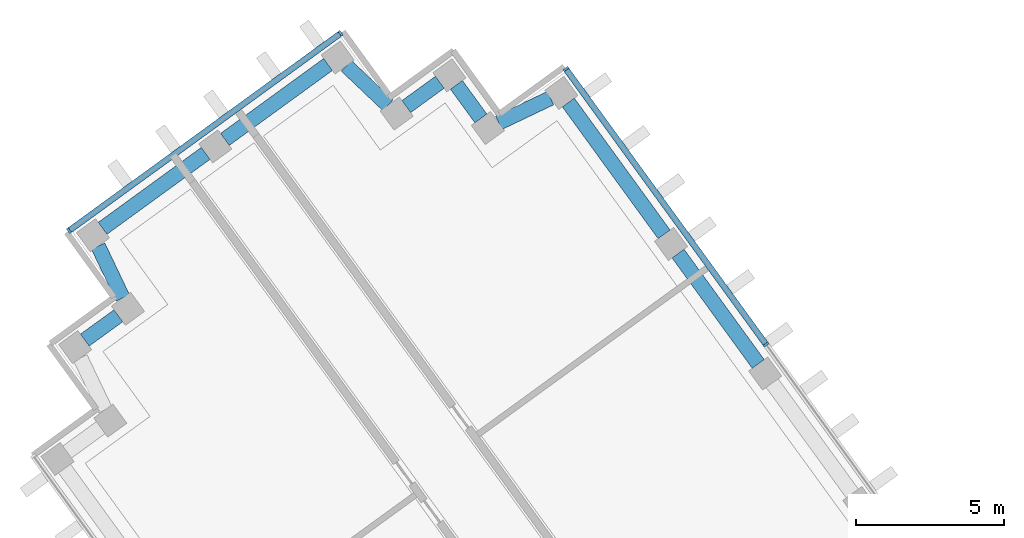
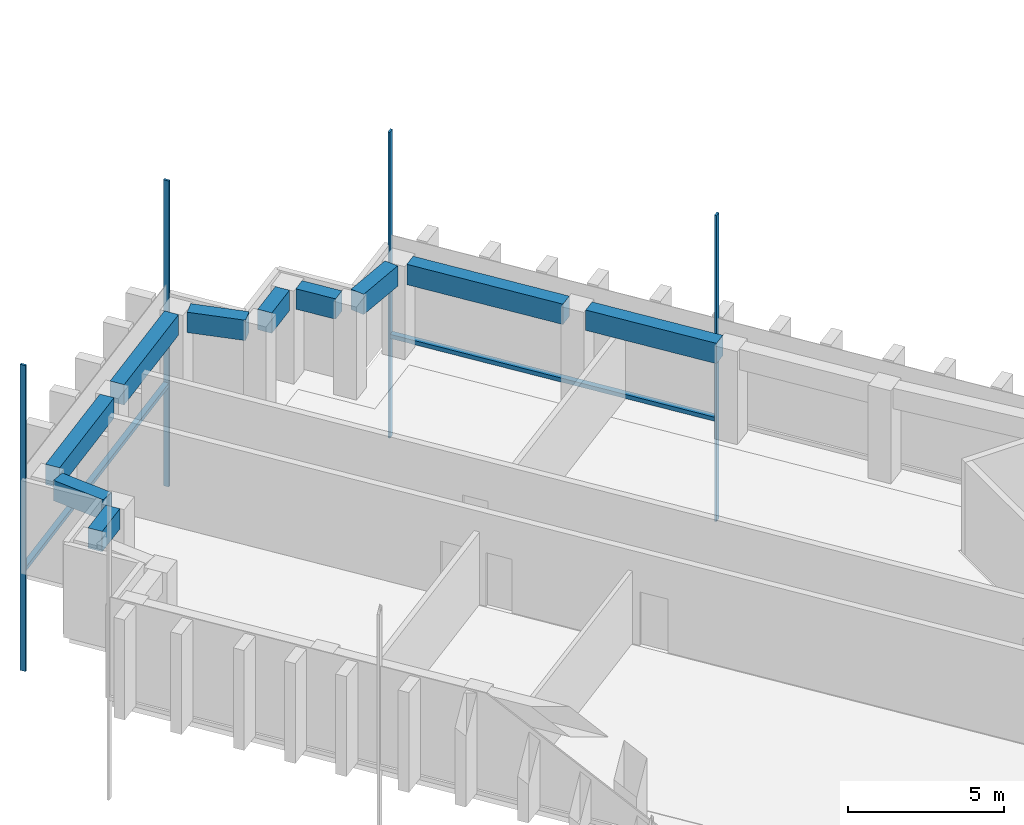
# One storey, part 4 of 12: 10 beams, 6 members, 2 elements without a shape of their own.
"""IFC4 building model written with IfcOpenShell, lengths in metres."""

import ifcopenshell
import ifcopenshell.guid

model = None  # the IFC model being written
_history = None  # IfcOwnerHistory: only IFC2X3 demands one
_inside = {}  # id of a spatial element -> (the spatial element, [elements in it])
_under = {}  # id of a project, library or spatial element -> (it, [spatial elements below it])
_declared = {}  # id of a project -> (the project, [libraries it declares])
_typed = {}  # id of a type object -> (the type object, [elements of that type])
_made_of = {}  # id of a material, layer set ... -> (it, [elements and type objects made of it])


def new_model(schema):
    """Start an empty IFC model of exactly this schema.

    Asked for "IFC4X3", IfcOpenShell would pick the latest addendum, in which some entities
    have other attributes; the version numbers below select the first issue.
    IFC2X3 requires an IfcOwnerHistory on every rooted entity: one is made here for all.
    """
    global model, _history
    if schema == "IFC4X3":
        model = ifcopenshell.file(schema_version=(4, 3, 0, 0))
    else:
        model = ifcopenshell.file(schema=schema)
    _inside.clear()
    _under.clear()
    _declared.clear()
    _typed.clear()
    _made_of.clear()
    _history = None
    if model.schema == "IFC2X3":
        org = make("IfcOrganization", Name="unknown")
        user = make(
            "IfcPersonAndOrganization",
            ThePerson=make("IfcPerson", FamilyName="unknown"),
            TheOrganization=org,
        )
        app = make(
            "IfcApplication",
            ApplicationDeveloper=org,
            Version="unknown",
            ApplicationFullName="unknown",
            ApplicationIdentifier="unknown",
        )
        _history = make(
            "IfcOwnerHistory",
            OwningUser=user,
            OwningApplication=app,
            ChangeAction="ADDED",
            CreationDate=0,
        )
    return model


def make(cls, **values):
    """One entity of the class cls with the attributes given. An attribute that is None is left unset."""
    return model.create_entity(
        cls, **{name: value for name, value in values.items() if value is not None}
    )


def rooted(cls, **values):
    """An entity with a GlobalId (a new one), such as an element, a storey or a relation."""
    return make(cls, GlobalId=ifcopenshell.guid.new(), OwnerHistory=_history, **values)


def si_unit(unit_type, name, prefix=None):
    """IfcSIUnit, for example si_unit("LENGTHUNIT", "METRE", prefix="MILLI")."""
    return make("IfcSIUnit", UnitType=unit_type, Prefix=prefix, Name=name)


def assignment(units):
    """IfcUnitAssignment: the units of a project."""
    return None if units is None else make("IfcUnitAssignment", Units=units)


def point(xyz):
    """IfcCartesianPoint."""
    return None if xyz is None else make("IfcCartesianPoint", Coordinates=xyz)


def direction(xyz):
    """IfcDirection."""
    return None if xyz is None else make("IfcDirection", DirectionRatios=xyz)


def frame(location, z_axis=None, x_axis=None):
    """IfcAxis2Placement3D, a coordinate frame: its origin and axes. An axis left out is left unset."""
    return make(
        "IfcAxis2Placement3D",
        Location=point(location),
        Axis=direction(z_axis),
        RefDirection=direction(x_axis),
    )


def frame_2d(location, x_axis=None):
    """IfcAxis2Placement2D, a coordinate frame in the plane: its origin and x axis."""
    return make(
        "IfcAxis2Placement2D", Location=point(location), RefDirection=direction(x_axis)
    )


def origin():
    """The frame at (0, 0, 0) with its axes left unset."""
    return frame((0.0, 0.0, 0.0))


def origin_2d():
    """The frame at (0, 0) in the plane with its x axis left unset."""
    return frame_2d((0.0, 0.0))


def place(relative_to, where):
    """IfcLocalPlacement: puts the frame where relative to a parent placement (None: the world)."""
    return make(
        "IfcLocalPlacement", PlacementRelTo=relative_to, RelativePlacement=where
    )


def context(
    kind, dimensions, precision=None, world=None, true_north=None, identifier=None
):
    """IfcGeometricRepresentationContext, for example the 3D "Model" context."""
    return make(
        "IfcGeometricRepresentationContext",
        ContextIdentifier=identifier,
        ContextType=kind,
        CoordinateSpaceDimension=dimensions,
        Precision=precision,
        WorldCoordinateSystem=world,
        TrueNorth=true_north,
    )


def subcontext(parent, identifier, kind, view, scale=None):
    """IfcGeometricRepresentationSubContext, for example "Body" below "Model"."""
    return make(
        "IfcGeometricRepresentationSubContext",
        ContextIdentifier=identifier,
        ContextType=kind,
        ParentContext=parent,
        TargetScale=scale,
        TargetView=view,
    )


def project(units=None, contexts=None):
    """IfcProject with its units and contexts."""
    return rooted(
        "IfcProject",
        Name="project",
        RepresentationContexts=contexts,
        UnitsInContext=assignment(units),
    )


def spatial(cls, under=None, at=None, **own):
    """A site, building, storey or space (cls), placed at a placement, below another one or the project."""
    s = rooted(cls, ObjectPlacement=at, **own)
    if under is not None:
        _under.setdefault(under.id(), (under, []))[1].append(s)
    return s


def profile(cls, at=None, kind="AREA", **sizes):
    """A parametric profile (cls). Its sizes go by their IFC names, for example OverallWidth=200.0."""
    return make(cls, ProfileType=kind, Position=at, **sizes)


def rectangle(**sizes):
    """IfcRectangleProfileDef."""
    return profile("IfcRectangleProfileDef", **sizes)


def extrude(swept, where, along, depth):
    """IfcExtrudedAreaSolid: the profile swept, set in the frame where, extruded along a direction by depth."""
    return make(
        "IfcExtrudedAreaSolid",
        SweptArea=swept,
        Position=where,
        ExtrudedDirection=direction(along),
        Depth=depth,
    )


def shape(context_of_items, identifier, shape_type, items):
    """IfcShapeRepresentation: the items that make up one representation, for example the "Body"."""
    return make(
        "IfcShapeRepresentation",
        ContextOfItems=context_of_items,
        RepresentationIdentifier=identifier,
        RepresentationType=shape_type,
        Items=items,
    )


def material(Name=None, Category=None):
    """IfcMaterial."""
    return make("IfcMaterial", Name=Name, Category=Category)


def material_profile(
    of_material, cross_section, Name=None, Category=None, Priority=None
):
    """IfcMaterialProfile: a cross section and its material."""
    return make(
        "IfcMaterialProfile",
        Name=Name,
        Material=of_material,
        Profile=cross_section,
        Priority=Priority,
        Category=Category,
    )


def profile_set(profiles, Name=None, composite=None):
    """IfcMaterialProfileSet."""
    return make(
        "IfcMaterialProfileSet",
        Name=Name,
        MaterialProfiles=profiles,
        CompositeProfile=composite,
    )


def made_of(thing, what):
    """Note that an element or type object is made of a material, layer set ...; save() writes the relation."""
    if what is not None:
        _made_of.setdefault(what.id(), (what, []))[1].append(thing)
    return thing


def type_object(cls, material=None, **own):
    """A type object (cls), such as IfcWallType, which elements share."""
    return made_of(rooted(cls, **own), material)


def element(
    cls,
    number,
    at=None,
    inside=None,
    cuts=None,
    type_object=None,
    material=None,
    context=None,
    identifier="Body",
    shape_type=None,
    held_by="IfcProductDefinitionShape",
    body=None,
    shapes=None,
    **own,
):
    """One element of the class cls, such as IfcWall. Its Tag is "e" and its number.

    at: its placement. inside: the storey or other place that contains it. cuts: it is an
    opening in that element (IfcRelVoidsElement). A single representation is given by context,
    identifier, shape_type and body (its items); several are given by shapes. held_by: the class
    of the entity that holds the representations. save() writes the other relations.
    """
    e = rooted(cls, Tag="e%d" % number, ObjectPlacement=at, **own)
    if body is not None:
        shapes = [shape(context, identifier, shape_type, body)]
    if shapes is not None:
        e.Representation = make(held_by, Representations=shapes)
    if inside is not None:
        _inside.setdefault(inside.id(), (inside, []))[1].append(e)
    if cuts is not None:
        rooted(
            "IfcRelVoidsElement", RelatingBuildingElement=cuts, RelatedOpeningElement=e
        )
    if type_object is not None:
        _typed.setdefault(type_object.id(), (type_object, []))[1].append(e)
    return made_of(e, material)


def aggregate(whole, parts):
    """IfcRelAggregates: a whole, such as a stair, and the parts it consists of."""
    return rooted("IfcRelAggregates", RelatingObject=whole, RelatedObjects=parts)


def save(model, path):
    """Write the relations noted so far, then the file.

    IfcRelAggregates (storeys below a building ...), IfcRelContainedInSpatialStructure (elements
    in a storey), IfcRelDefinesByType, IfcRelAssociatesMaterial and IfcRelDeclares: one each for
    every whole, place, type object, material and project.
    """
    for whole, parts in _under.values():
        aggregate(whole, parts)
    for where, things in _inside.values():
        rooted(
            "IfcRelContainedInSpatialStructure",
            RelatedElements=things,
            RelatingStructure=where,
        )
    for kind, things in _typed.values():
        rooted("IfcRelDefinesByType", RelatedObjects=things, RelatingType=kind)
    for what, things in _made_of.values():
        rooted("IfcRelAssociatesMaterial", RelatedObjects=things, RelatingMaterial=what)
    for by, libraries in _declared.values():
        rooted("IfcRelDeclares", RelatingContext=by, RelatedDefinitions=libraries)
    model.write(path)


model = new_model("IFC4")

# Units and contexts
model_context = context("Model", 3, precision=1e-05, world=origin(), true_north=direction((0.0, 1.0)))
body_context = subcontext(model_context, "Body", "Model", "MODEL_VIEW")
ifc_project = project(units=[si_unit("LENGTHUNIT", "METRE"), si_unit("AREAUNIT", "SQUARE_METRE"), si_unit("VOLUMEUNIT", "CUBIC_METRE"), si_unit("PLANEANGLEUNIT", "RADIAN"), si_unit("MASSUNIT", "GRAM", prefix="KILO")], contexts=[model_context])

# Site, building, storey
site_placement = place(None, origin())
site = spatial("IfcSite", under=ifc_project, at=site_placement, CompositionType="ELEMENT")
building_placement = place(site_placement, origin())
building = spatial("IfcBuilding", under=site, at=building_placement, Name="Quipu Civic Tower", CompositionType="ELEMENT")
storey_placement = place(building_placement, frame((0.0, 0.0, 234.0)))
storey = spatial("IfcBuildingStorey", under=building, at=storey_placement, Name="L55", CompositionType="ELEMENT", Elevation=234.0)

# Curtain wall, members
ifc_material_1 = material(Name="Insulated glass unit", Category="glass")
curtain_wall_type = type_object("IfcCurtainWallType", Name="Office curtain wall CW1", PredefinedType="NOTDEFINED", material=ifc_material_1)
curtain_wall_1_placement = place(storey_placement, origin())
curtain_wall_1 = element("IfcCurtainWall", 1, at=curtain_wall_1_placement, inside=storey, type_object=curtain_wall_type, Name="Office curtain wall CW1 L54 run 1", PredefinedType="NOTDEFINED")
ifc_material_2 = material(Name="Anodised aluminium", Category="aluminium")
ifc_material_profile_1 = material_profile(ifc_material_2, rectangle(XDim=0.199951171875, YDim=0.080078125, at=origin_2d()), Name="RECT 200x80")
ifc_profile_set_1 = profile_set([ifc_material_profile_1], Name="Anodised aluminium")
member_type_1 = type_object("IfcMemberType", Name="Mullion CW1", PredefinedType="MULLION", material=ifc_profile_set_1)
member_1_placement = place(storey_placement, frame((-21.11669921875, 20.421630859375, -3.919921875), z_axis=(0.0, 0.0, 1.0), x_axis=(-0.809014469803, -0.587788727052, 0.0)))
member_1 = element("IfcMember", 2, at=member_1_placement, type_object=member_type_1, Name="CW1 mullion 2", PredefinedType="MULLION", context=body_context, shape_type="SweptSolid", body=[
    extrude(rectangle(XDim=0.199951171875, YDim=0.080078125, at=origin_2d()), origin(), (0.0, 0.0, 1.0), 12.0),
])
member_2_placement = place(storey_placement, frame((-27.865966796875, 29.7109375, -3.919921875), z_axis=(0.0, 0.0, 1.0), x_axis=(-0.809014469803, -0.587788727052, 0.0)))
member_2 = element("IfcMember", 3, at=member_2_placement, type_object=member_type_1, Name="CW1 mullion 3", PredefinedType="MULLION", context=body_context, shape_type="SweptSolid", body=[
    extrude(rectangle(XDim=0.199951171875, YDim=0.080078125, at=origin_2d()), origin(), (0.0, 0.0, 1.0), 12.0),
])

curtain_wall_2_placement = place(storey_placement, origin())
curtain_wall_2 = element("IfcCurtainWall", 4, at=curtain_wall_2_placement, inside=storey, type_object=curtain_wall_type, Name="Office curtain wall CW1 L54 run 6", PredefinedType="NOTDEFINED")
member_3_placement = place(storey_placement, frame((-35.46435546875, 30.914306640625, -3.919921875), z_axis=(0.0, 0.0, 1.0), x_axis=(0.587787753918, -0.809015176832, 0.0)))
member_3 = element("IfcMember", 5, at=member_3_placement, type_object=member_type_1, Name="CW1 mullion 1", PredefinedType="MULLION", context=body_context, shape_type="SweptSolid", body=[
    extrude(rectangle(XDim=0.199951171875, YDim=0.080078125, at=origin_2d()), origin(), (0.0, 0.0, 1.0), 12.0),
])
member_4_placement = place(storey_placement, frame((-44.62255859375, 24.260498046875, -3.919921875), z_axis=(0.0, 0.0, 1.0), x_axis=(0.587787753918, -0.809015176832, 0.0)))
member_4 = element("IfcMember", 6, at=member_4_placement, type_object=member_type_1, Name="CW1 mullion 2", PredefinedType="MULLION", context=body_context, shape_type="SweptSolid", body=[
    extrude(rectangle(XDim=0.199951171875, YDim=0.080078125, at=origin_2d()), origin(), (0.0, 0.0, 1.0), 12.0),
])

# Beams
ifc_material_3 = material(Name="Concrete C50/60", Category="concrete")
ifc_material_profile_2 = material_profile(ifc_material_3, rectangle(XDim=0.5, YDim=0.800048828125, at=origin_2d()), Name="RC500x800")
ifc_profile_set_2 = profile_set([ifc_material_profile_2], Name="Concrete C50/60")
beam_type = type_object("IfcBeamType", Name="Spandrel beam RC 500x800 C50/60", PredefinedType="SPANDREL", material=ifc_profile_set_2)
beam_1_placement = place(storey_placement, frame((-21.382568359375, 19.767333984375, 3.25), z_axis=(-0.587736122681, 0.809052686848, 0.0), x_axis=(-0.809052686848, -0.587736122681, 0.0)))
element("IfcBeam", 7, at=beam_1_placement, inside=storey, type_object=beam_type, Name="Spandrel beam L55 W-IN-02 to W-IN-03", PredefinedType="SPANDREL", context=body_context, shape_type="SweptSolid", body=[
    extrude(rectangle(XDim=0.5, YDim=0.800048828125, at=origin_2d()), origin(), (0.0, 0.0, 1.0), 4.60009765625),
])
beam_2_placement = place(storey_placement, frame((-24.556396484375, 24.13623046875, 3.25), z_axis=(-0.587664254196, 0.809104890815, 0.0), x_axis=(-0.809104890815, -0.587664254196, 0.0)))
element("IfcBeam", 8, at=beam_2_placement, inside=storey, type_object=beam_type, Name="Spandrel beam L55 W-IN-03 to T-Wi.0-W34", PredefinedType="SPANDREL", context=body_context, shape_type="SweptSolid", body=[
    extrude(rectangle(XDim=0.5, YDim=0.800048828125, at=origin_2d()), origin(), (0.0, 0.0, 1.0), 5.493896484375),
])
beam_3_placement = place(storey_placement, frame((-28.38720703125, 28.72998046875, 3.25), z_axis=(-0.902584802379, -0.430512107279, 0.0), x_axis=(0.430512107279, -0.902584802379, 0.0)))
element("IfcBeam", 9, at=beam_3_placement, inside=storey, type_object=beam_type, Name="Spandrel beam L55 T-Wi.0-W34 to T-Wi.1-W34", PredefinedType="SPANDREL", context=body_context, shape_type="SweptSolid", body=[
    extrude(rectangle(XDim=0.5, YDim=0.800048828125, at=origin_2d()), origin(), (0.0, 0.0, 1.0), 1.9326171875),
])
beam_4_placement = place(storey_placement, frame((-30.734375, 28.0458984375, 3.25), z_axis=(-0.589342949835, 0.80788296645, 0.0), x_axis=(-0.80788296645, -0.589342949835, 0.0)))
element("IfcBeam", 10, at=beam_4_placement, inside=storey, type_object=beam_type, Name="Spandrel beam L55 T-Wi.1-W34 to T-Wi.2-W34", PredefinedType="SPANDREL", context=body_context, shape_type="SweptSolid", body=[
    extrude(rectangle(XDim=0.5, YDim=0.800048828125, at=origin_2d()), origin(), (0.0, 0.0, 1.0), 1.39990234375),
])
beam_5_placement = place(storey_placement, frame((-32.118896484375, 29.26513671875, 3.25), z_axis=(-0.80941533633, -0.587236590578, 0.0), x_axis=(0.587236590578, -0.80941533633, 0.0)))
element("IfcBeam", 11, at=beam_5_placement, inside=storey, type_object=beam_type, Name="Spandrel beam L55 T-Wi.2-W34 to T-Wi.3-W34", PredefinedType="SPANDREL", context=body_context, shape_type="SweptSolid", body=[
    extrude(rectangle(XDim=0.5, YDim=0.800048828125, at=origin_2d()), origin(), (0.0, 0.0, 1.0), 1.397705078125),
])
beam_6_placement = place(storey_placement, frame((-33.868896484375, 28.489501953125, 3.25), z_axis=(-0.72519185421, 0.68854685722, 0.0), x_axis=(-0.68854685722, -0.72519185421, 0.0)))
element("IfcBeam", 12, at=beam_6_placement, inside=storey, type_object=beam_type, Name="Spandrel beam L55 T-Wi.3-W34 to T-Wi.4-W34", PredefinedType="SPANDREL", context=body_context, shape_type="SweptSolid", body=[
    extrude(rectangle(XDim=0.5, YDim=0.800048828125, at=origin_2d()), origin(), (0.0, 0.0, 1.0), 1.93212890625),
])
beam_7_placement = place(storey_placement, frame((-35.888671875, 29.86474609375, 3.25), z_axis=(-0.808983997561, -0.58783066583, 0.0), x_axis=(0.58783066583, -0.808983997561, 0.0)))
element("IfcBeam", 13, at=beam_7_placement, inside=storey, type_object=beam_type, Name="Spandrel beam L55 T-Wi.4-W34 to TIP-W-01-W34", PredefinedType="SPANDREL", context=body_context, shape_type="SweptSolid", body=[
    extrude(rectangle(XDim=0.5, YDim=0.800048828125, at=origin_2d()), origin(), (0.0, 0.0, 1.0), 4.2998046875),
])
beam_8_placement = place(storey_placement, frame((-40.014404296875, 26.866943359375, 3.25), z_axis=(-0.808947267178, -0.587881211578, 0.0), x_axis=(0.587881211578, -0.808947267178, 0.0)))
element("IfcBeam", 14, at=beam_8_placement, inside=storey, type_object=beam_type, Name="Spandrel beam L55 TIP-W-01-W34 to T-Wo.0-W34", PredefinedType="SPANDREL", context=body_context, shape_type="SweptSolid", body=[
    extrude(rectangle(XDim=0.5, YDim=0.800048828125, at=origin_2d()), origin(), (0.0, 0.0, 1.0), 4.29833984375),
])
beam_9_placement = place(storey_placement, frame((-43.64013671875, 23.737548828125, 3.25), z_axis=(0.429889421342, -0.902881545618, 0.0), x_axis=(0.902881545618, 0.429889421342, 0.0)))
element("IfcBeam", 15, at=beam_9_placement, inside=storey, type_object=beam_type, Name="Spandrel beam L55 T-Wo.0-W34 to T-Wo.1-W34", PredefinedType="SPANDREL", context=body_context, shape_type="SweptSolid", body=[
    extrude(rectangle(XDim=0.5, YDim=0.800048828125, at=origin_2d()), origin(), (0.0, 0.0, 1.0), 1.931396484375),
])
beam_10_placement = place(storey_placement, frame((-42.958740234375, 21.391357421875, 3.25), z_axis=(-0.809467380413, -0.587164849125, 0.0), x_axis=(0.587164849125, -0.809467380413, 0.0)))
element("IfcBeam", 16, at=beam_10_placement, inside=storey, type_object=beam_type, Name="Spandrel beam L55 T-Wo.1-W34 to T-Wo.2-W34", PredefinedType="SPANDREL", context=body_context, shape_type="SweptSolid", body=[
    extrude(rectangle(XDim=0.5, YDim=0.800048828125, at=origin_2d()), origin(), (0.0, 0.0, 1.0), 1.399169921875),
])

# Member
ifc_material_4 = material(Name="Anodised aluminium", Category="aluminium")
ifc_material_profile_3 = material_profile(ifc_material_4, rectangle(XDim=0.199951171875, YDim=0.159912109375, at=origin_2d()), Name="RECT 200x160")
ifc_profile_set_3 = profile_set([ifc_material_profile_3], Name="Anodised aluminium")
member_type_2 = type_object("IfcMemberType", Name="Transom CW1", PredefinedType="USERDEFINED", material=ifc_profile_set_3)
member_5_placement = place(storey_placement, frame((-21.140380859375, 20.453857421875, 0.080078125), z_axis=(-0.587775682251, 0.809023947331, 0.0), x_axis=(-0.809023947331, -0.587775682251, 0.0)))
member_5 = element("IfcMember", 17, at=member_5_placement, type_object=member_type_2, Name="CW1 transom 2.2", ObjectType="TRANSOM", PredefinedType="USERDEFINED", context=body_context, shape_type="SweptSolid", body=[
    extrude(rectangle(XDim=0.199951171875, YDim=0.159912109375, at=origin_2d()), origin(), (0.0, 0.0, 1.0), 11.402099609375),
])

aggregate(curtain_wall_1, [member_1, member_2, member_5])

member_6_placement = place(storey_placement, frame((-35.496826171875, 30.890869140625, 0.080078125), z_axis=(-0.809014959561, -0.587788052963, 0.0), x_axis=(0.587788052963, -0.809014959561, 0.0)))
member_6 = element("IfcMember", 18, at=member_6_placement, type_object=member_type_2, Name="CW1 transom 1.2", ObjectType="TRANSOM", PredefinedType="USERDEFINED", context=body_context, shape_type="SweptSolid", body=[
    extrude(rectangle(XDim=0.199951171875, YDim=0.159912109375, at=origin_2d()), origin(), (0.0, 0.0, 1.0), 11.239990234375),
])

aggregate(curtain_wall_2, [member_3, member_4, member_6])

save(model, "model.ifc")
